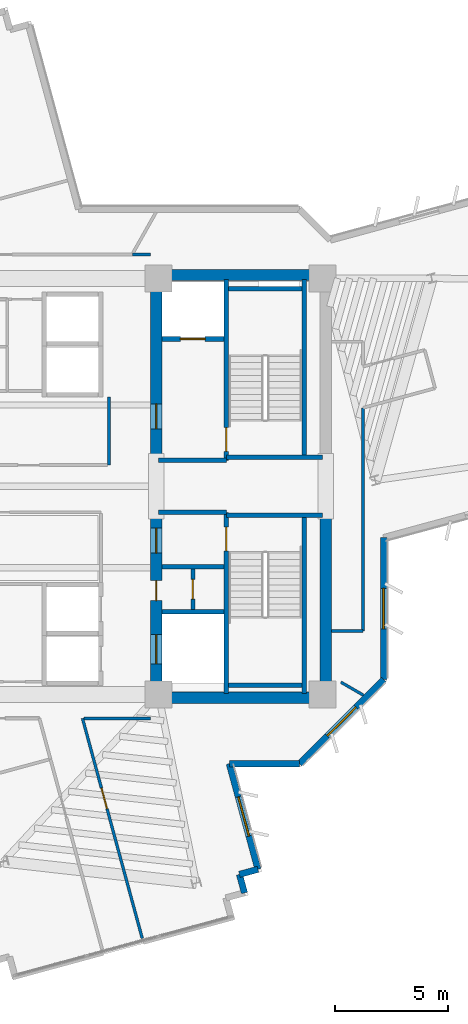
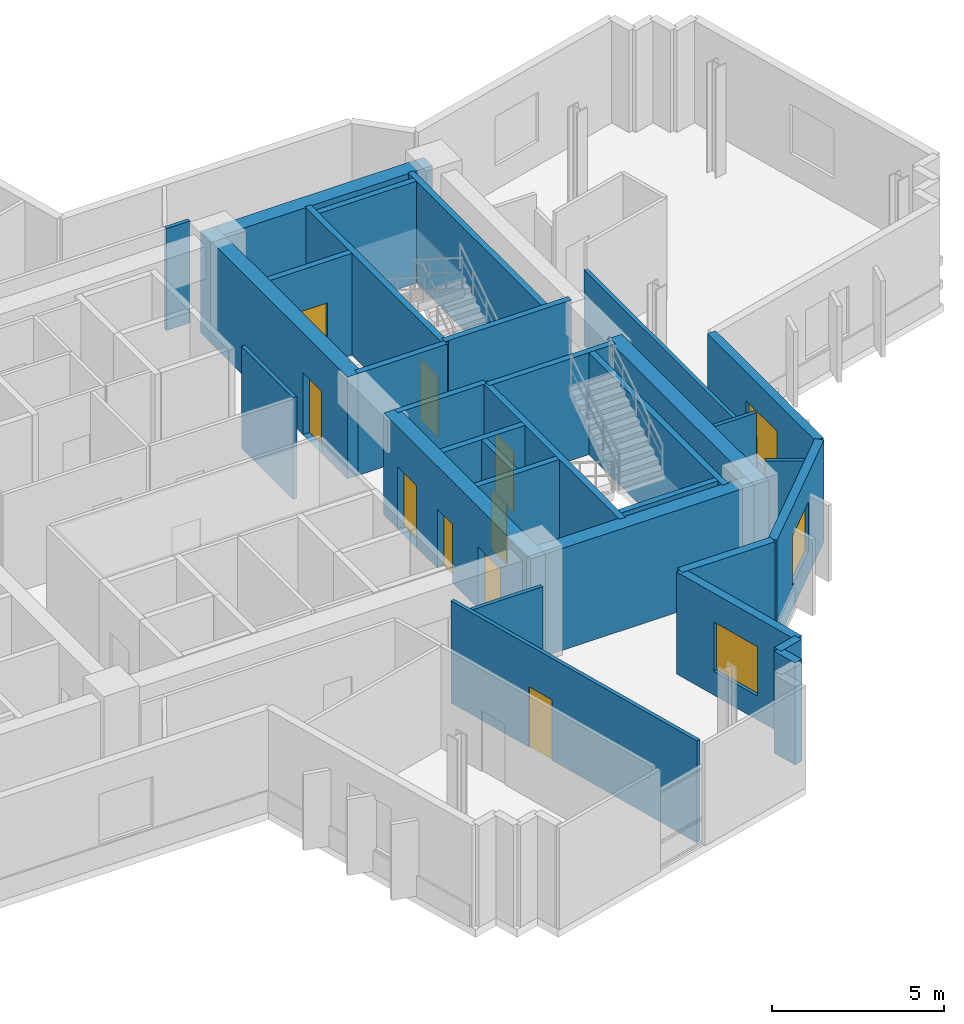
# One storey, part 10 of 15: 32 walls, 9 doors, 3 windows, 12 openings.
"""IFC4 building model written with IfcOpenShell, lengths in metres."""

from ifc_helpers import new_model, si_unit, direction, frame, frame_2d, origin, place, context, subcontext, project, spatial, rectangle, extrude, source, transform, mapped, material, layer, layer_set, type_object, element, fill, save


model = new_model("IFC4")

# Units and contexts
model_context = context("Model", 3, precision=1e-05, world=origin(), true_north=direction((0.0, 1.0)))
body_context = subcontext(model_context, "Body", "Model", "MODEL_VIEW")
ifc_project = project(units=[si_unit("LENGTHUNIT", "METRE"), si_unit("AREAUNIT", "SQUARE_METRE"), si_unit("VOLUMEUNIT", "CUBIC_METRE"), si_unit("PLANEANGLEUNIT", "RADIAN"), si_unit("MASSUNIT", "GRAM", prefix="KILO")], contexts=[model_context])

# Site, building, storey
site_placement = place(None, origin())
site = spatial("IfcSite", under=ifc_project, at=site_placement, CompositionType="ELEMENT")
building_placement = place(site_placement, origin())
building = spatial("IfcBuilding", under=site, at=building_placement, Name="Zahravan Cultural Tower", CompositionType="ELEMENT")
storey_placement = place(building_placement, frame((0.0, 0.0, 198.0)))
storey = spatial("IfcBuildingStorey", under=building, at=storey_placement, Name="L46", CompositionType="ELEMENT", Elevation=198.0)

# Wall, openings, doors
ifc_material_1 = material(Name="Concrete C60/75", Category="concrete")
ifc_layer_1 = layer(ifc_material_1, 0.5)
ifc_layer_set_1 = layer_set([ifc_layer_1], Name="Concrete C60/75")
wall_type_1 = type_object("IfcWallType", Name="CW-SHEAR-500-C60", PredefinedType="SHEAR", material=ifc_layer_set_1)
wall_1_placement = place(storey_placement, frame((43.0, 17.39990234375, 0.0), z_axis=(0.0, 0.0, 1.0), x_axis=(0.0, 1.0, 0.0)))
wall_1 = element("IfcWall", 1, at=wall_1_placement, inside=storey, type_object=wall_type_1, Name="L46 Core Shear Wall CW-E-WS-L46", PredefinedType="SHEAR", context=body_context, shape_type="SweptSolid", body=[
    extrude(rectangle(XDim=8.550048828125, YDim=0.5, at=frame_2d((4.27490234375, 0.0))), origin(), (0.0, 0.0, 1.0), 3.6201171875),
])
opening_1_placement = place(wall_1_placement, frame((6.64990234375, 0.0, 0.0)))
opening_1 = element("IfcOpeningElement", 2, at=opening_1_placement, cuts=wall_1, Name="Opening D-L46-08", PredefinedType="OPENING", context=body_context, shape_type="SweptSolid", body=[
    extrude(rectangle(XDim=1.10009765625, YDim=2.199951171875, at=frame_2d((0.550048828125, 1.10009765625))), frame((0.0, 0.260009765625, 0.0), z_axis=(0.0, -1.0, 0.0), x_axis=(1.0, 0.0, 0.0)), (0.0, 0.0, 1.0), 0.52001953125),
])
opening_2_placement = place(wall_1_placement, frame((1.75, 0.0, 0.0)))
opening_2 = element("IfcOpeningElement", 3, at=opening_2_placement, cuts=wall_1, Name="Opening LD-L46-03", PredefinedType="OPENING", context=body_context, shape_type="SweptSolid", body=[
    extrude(rectangle(XDim=1.300048828125, YDim=2.199951171875, at=frame_2d((0.64990234375, 1.10009765625))), frame((0.0, 0.260009765625, 0.0), z_axis=(0.0, -1.0, 0.0), x_axis=(1.0, 0.0, 0.0)), (0.0, 0.0, 1.0), 0.52001953125),
])
opening_3_placement = place(wall_1_placement, frame((4.550048828125, 0.0, 0.0)))
opening_3 = element("IfcOpeningElement", 4, at=opening_3_placement, cuts=wall_1, Name="Opening D-L46-11", PredefinedType="OPENING", context=body_context, shape_type="SweptSolid", body=[
    extrude(rectangle(XDim=0.8798828125, YDim=2.10009765625, at=frame_2d((0.43994140625, 1.050048828125))), frame((0.0, 0.260009765625, 0.0), z_axis=(0.0, -1.0, 0.0), x_axis=(1.0, 0.0, 0.0)), (0.0, 0.0, 1.0), 0.52001953125),
])
ifc_material_2 = material(Name="Steel ASTM A572 Grade 50", Category="steel")
door_type_1 = type_object("IfcDoorType", Name="DR-LOBBY-1100", OperationType="NOTDEFINED", PredefinedType="DOOR", material=ifc_material_2)
shared_shape_1 = source(origin(), body_context, "Body", "SweptSolid", [
    extrude(rectangle(XDim=1.10009765625, YDim=2.199951171875, at=frame_2d((0.550048828125, 1.10009765625))), frame((0.0, 0.02490234375, 0.0), z_axis=(0.0, -1.0, 0.0), x_axis=(1.0, 0.0, 0.0)), (0.0, 0.0, 1.0), 0.050048828125),
])
door_1_placement = place(opening_1_placement, origin())
door_1 = element("IfcDoor", 5, at=door_1_placement, inside=storey, type_object=door_type_1, Name="L46 Door D-L46-08", OperationType="SINGLE_SWING_RIGHT", OverallHeight=2.199951171875, OverallWidth=1.10009765625, PredefinedType="DOOR", context=body_context, shape_type="MappedRepresentation", body=[
    mapped(shared_shape_1, transform((0.0, 0.0, 0.0), x_axis=(1.0, 0.0, 0.0), y_axis=(0.0, 1.0, 0.0), z_axis=(0.0, 0.0, 1.0), scale=1.0)),
])
fill(opening_1, door_1)
door_type_2 = type_object("IfcDoorType", Name="DR-LIFT-1300", OperationType="DOUBLE_DOOR_SLIDING", PredefinedType="DOOR", material=ifc_material_2)
shared_shape_2 = source(origin(), body_context, "Body", "SweptSolid", [
    extrude(rectangle(XDim=1.300048828125, YDim=2.199951171875, at=frame_2d((0.64990234375, 1.10009765625))), frame((0.0, 0.02490234375, 0.0), z_axis=(0.0, -1.0, 0.0), x_axis=(1.0, 0.0, 0.0)), (0.0, 0.0, 1.0), 0.050048828125),
])
door_2_placement = place(opening_2_placement, origin())
door_2 = element("IfcDoor", 6, at=door_2_placement, inside=storey, type_object=door_type_2, Name="L46 Door LD-L46-03", OperationType="DOUBLE_DOOR_SLIDING", OverallHeight=2.199951171875, OverallWidth=1.300048828125, PredefinedType="DOOR", context=body_context, shape_type="MappedRepresentation", body=[
    mapped(shared_shape_2, transform((0.0, 0.0, 0.0), x_axis=(1.0, 0.0, 0.0), y_axis=(0.0, 1.0, 0.0), z_axis=(0.0, 0.0, 1.0), scale=1.0)),
])
fill(opening_2, door_2)
door_type_3 = type_object("IfcDoorType", Name="DR-SVC-880", OperationType="NOTDEFINED", PredefinedType="DOOR", material=ifc_material_2)
shared_shape_3 = source(origin(), body_context, "Body", "SweptSolid", [
    extrude(rectangle(XDim=0.8798828125, YDim=2.10009765625, at=frame_2d((0.43994140625, 1.050048828125))), frame((0.0, 0.02490234375, 0.0), z_axis=(0.0, -1.0, 0.0), x_axis=(1.0, 0.0, 0.0)), (0.0, 0.0, 1.0), 0.050048828125),
])
door_3_placement = place(opening_3_placement, origin())
door_3 = element("IfcDoor", 7, at=door_3_placement, inside=storey, type_object=door_type_3, Name="L46 Door D-L46-11", OperationType="SINGLE_SWING_LEFT", OverallHeight=2.10009765625, OverallWidth=0.8798828125, PredefinedType="DOOR", context=body_context, shape_type="MappedRepresentation", body=[
    mapped(shared_shape_3, transform((0.0, 0.0, 0.0), x_axis=(1.0, 0.0, 0.0), y_axis=(0.0, 1.0, 0.0), z_axis=(0.0, 0.0, 1.0), scale=1.0)),
])
fill(opening_3, door_3)

# Wall, opening, door
wall_2_placement = place(storey_placement, frame((43.0, 28.050048828125, 0.0), z_axis=(0.0, 0.0, 1.0), x_axis=(0.0, 1.0, 0.0)))
wall_2 = element("IfcWall", 8, at=wall_2_placement, inside=storey, type_object=wall_type_1, Name="L46 Core Shear Wall CW-E-WN-L46", PredefinedType="SHEAR", context=body_context, shape_type="SweptSolid", body=[
    extrude(rectangle(XDim=8.550048828125, YDim=0.5, at=frame_2d((4.27490234375, 0.0))), origin(), (0.0, 0.0, 1.0), 3.6201171875),
])
opening_4_placement = place(wall_2_placement, frame((1.5, 0.0, 0.0)))
opening_4 = element("IfcOpeningElement", 9, at=opening_4_placement, cuts=wall_2, Name="Opening D-L46-06", PredefinedType="OPENING", context=body_context, shape_type="SweptSolid", body=[
    extrude(rectangle(XDim=1.10009765625, YDim=2.199951171875, at=frame_2d((0.550048828125, 1.10009765625))), frame((0.0, 0.260009765625, 0.0), z_axis=(0.0, -1.0, 0.0), x_axis=(1.0, 0.0, 0.0)), (0.0, 0.0, 1.0), 0.52001953125),
])
door_4_placement = place(opening_4_placement, origin())
door_4 = element("IfcDoor", 10, at=door_4_placement, inside=storey, type_object=door_type_1, Name="L46 Door D-L46-06", OperationType="SINGLE_SWING_RIGHT", OverallHeight=2.199951171875, OverallWidth=1.10009765625, PredefinedType="DOOR", context=body_context, shape_type="MappedRepresentation", body=[
    mapped(shared_shape_1, transform((0.0, 0.0, 0.0), x_axis=(1.0, 0.0, 0.0), y_axis=(0.0, 1.0, 0.0), z_axis=(0.0, 0.0, 1.0), scale=1.0)),
])
fill(opening_4, door_4)

# Wall, opening, window
ifc_material_3 = material(Name="Precast concrete C40/50", Category="concrete")
ifc_layer_2 = layer(ifc_material_3, 0.280029296875)
ifc_layer_set_2 = layer_set([ifc_layer_2], Name="Precast concrete C40/50")
wall_type_2 = type_object("IfcWallType", Name="EW-TC-280", PredefinedType="SOLIDWALL", material=ifc_layer_set_2)
wall_3_placement = place(storey_placement, frame((53.06005859375, 24.733642578125, 0.0), z_axis=(0.0, 0.0, 1.0), x_axis=(0.0, -1.0, 0.0)))
wall_3 = element("IfcWall", 11, at=wall_3_placement, inside=storey, type_object=wall_type_2, Name="L46 Exterior Masonry Frame Wall 12", PredefinedType="SOLIDWALL", context=body_context, shape_type="SweptSolid", body=[
    extrude(rectangle(XDim=6.275634765625, YDim=0.280029296875, at=frame_2d((3.1376953125, 0.0))), origin(), (0.0, 0.0, 1.0), 3.6201171875),
])
opening_5_placement = place(wall_3_placement, frame((2.238037109375, 0.0, 0.85009765625)))
opening_5 = element("IfcOpeningElement", 12, at=opening_5_placement, cuts=wall_3, Name="Opening WN-02", PredefinedType="OPENING", context=body_context, shape_type="SweptSolid", body=[
    extrude(rectangle(XDim=1.800048828125, YDim=1.75, at=frame_2d((0.89990234375, 0.875))), frame((0.0, 0.14990234375, 0.0), z_axis=(0.0, -1.0, 0.0), x_axis=(1.0, 0.0, 0.0)), (0.0, 0.0, 1.0), 0.300048828125),
])
ifc_material_4 = material(Name="Low-E solar-control double glazing", Category="glass")
window_type = type_object("IfcWindowType", Name="WN-REC-1800X1750", PartitioningType="DOUBLE_PANEL_VERTICAL", PredefinedType="WINDOW", material=ifc_material_4)
shared_shape_4 = source(origin(), body_context, "Body", "SweptSolid", [
    extrude(rectangle(XDim=1.800048828125, YDim=1.75, at=frame_2d((0.89990234375, 0.875))), frame((0.0, 0.030029296875, 0.0), z_axis=(0.0, -1.0, 0.0), x_axis=(1.0, 0.0, 0.0)), (0.0, 0.0, 1.0), 0.06005859375),
])
window_1_placement = place(opening_5_placement, origin())
window_1 = element("IfcWindow", 13, at=window_1_placement, inside=storey, type_object=window_type, Name="L46 Recessed Solar Window 04", OverallHeight=1.75, OverallWidth=1.800048828125, PartitioningType="DOUBLE_PANEL_VERTICAL", PredefinedType="WINDOW", context=body_context, shape_type="MappedRepresentation", body=[
    mapped(shared_shape_4, transform((0.0, 0.0, 0.0), x_axis=(1.0, 0.0, 0.0), y_axis=(0.0, 1.0, 0.0), z_axis=(0.0, 0.0, 1.0), scale=1.0)),
])
fill(opening_5, window_1)

wall_4_placement = place(storey_placement, frame((53.06005859375, 18.4580078125, 0.0), z_axis=(0.0, 0.0, 1.0), x_axis=(-0.707106781187, -0.707106781187, 0.0)))
wall_4 = element("IfcWall", 14, at=wall_4_placement, inside=storey, type_object=wall_type_2, Name="L46 Exterior Masonry Frame Wall 13", PredefinedType="SOLIDWALL", context=body_context, shape_type="SweptSolid", body=[
    extrude(rectangle(XDim=5.258056640625, YDim=0.280029296875, at=frame_2d((2.62890625, 0.0))), origin(), (0.0, 0.0, 1.0), 3.6201171875),
])
opening_6_placement = place(wall_4_placement, frame((1.72900390625, 0.0, 0.85009765625)))
opening_6 = element("IfcOpeningElement", 15, at=opening_6_placement, cuts=wall_4, Name="Opening WN-02", PredefinedType="OPENING", context=body_context, shape_type="SweptSolid", body=[
    extrude(rectangle(XDim=1.800048828125, YDim=1.75, at=frame_2d((0.89990234375, 0.875))), frame((0.0, 0.14990234375, 0.0), z_axis=(0.0, -1.0, 0.0), x_axis=(1.0, 0.0, 0.0)), (0.0, 0.0, 1.0), 0.300048828125),
])
window_2_placement = place(opening_6_placement, origin())
window_2 = element("IfcWindow", 16, at=window_2_placement, inside=storey, type_object=window_type, Name="L46 Recessed Solar Window 05", OverallHeight=1.75, OverallWidth=1.800048828125, PartitioningType="DOUBLE_PANEL_VERTICAL", PredefinedType="WINDOW", context=body_context, shape_type="MappedRepresentation", body=[
    mapped(shared_shape_4, transform((0.0, 0.0, 0.0), x_axis=(1.0, 0.0, 0.0), y_axis=(0.0, 1.0, 0.0), z_axis=(0.0, 0.0, 1.0), scale=1.0)),
])
fill(opening_6, window_2)

wall_5_placement = place(storey_placement, frame((46.232421875, 14.739990234375, 0.0), z_axis=(0.0, 0.0, 1.0), x_axis=(0.262175182741, -0.965020296965, 0.0)))
wall_5 = element("IfcWall", 17, at=wall_5_placement, inside=storey, type_object=wall_type_2, Name="L46 Exterior Masonry Frame Wall 15", PredefinedType="SOLIDWALL", context=body_context, shape_type="SweptSolid", body=[
    extrude(rectangle(XDim=4.845947265625, YDim=0.280029296875, at=frame_2d((2.4228515625, 0.0))), origin(), (0.0, 0.0, 1.0), 3.6201171875),
])
opening_7_placement = place(wall_5_placement, frame((1.52294921875, 0.0, 0.85009765625)))
opening_7 = element("IfcOpeningElement", 18, at=opening_7_placement, cuts=wall_5, Name="Opening WN-02", PredefinedType="OPENING", context=body_context, shape_type="SweptSolid", body=[
    extrude(rectangle(XDim=1.800048828125, YDim=1.75, at=frame_2d((0.89990234375, 0.875))), frame((0.0, 0.14990234375, 0.0), z_axis=(0.0, -1.0, 0.0), x_axis=(1.0, 0.0, 0.0)), (0.0, 0.0, 1.0), 0.300048828125),
])
window_3_placement = place(opening_7_placement, origin())
window_3 = element("IfcWindow", 19, at=window_3_placement, inside=storey, type_object=window_type, Name="L46 Recessed Solar Window 06", OverallHeight=1.75, OverallWidth=1.800048828125, PartitioningType="DOUBLE_PANEL_VERTICAL", PredefinedType="WINDOW", context=body_context, shape_type="MappedRepresentation", body=[
    mapped(shared_shape_4, transform((0.0, 0.0, 0.0), x_axis=(1.0, 0.0, 0.0), y_axis=(0.0, 1.0, 0.0), z_axis=(0.0, 0.0, 1.0), scale=1.0)),
])
fill(opening_7, window_3)

# Wall, opening, door
ifc_material_5 = material(Name="Gypsum plasterboard partition")
ifc_layer_3 = layer(ifc_material_5, 0.179931640625)
ifc_layer_set_3 = layer_set([ifc_layer_3], Name="Gypsum plasterboard partition")
wall_type_3 = type_object("IfcWallType", Name="W-COMP-180", PredefinedType="PARTITIONING", material=ifc_layer_set_3)
wall_6_placement = place(storey_placement, frame((44.6201171875, 21.550048828125, 0.0), z_axis=(0.0, 0.0, 1.0), x_axis=(0.0, 1.0, 0.0)))
wall_6 = element("IfcWall", 20, at=wall_6_placement, inside=storey, type_object=wall_type_3, Name="L46 Interior Wall 027", PredefinedType="PARTITIONING", context=body_context, shape_type="SweptSolid", body=[
    extrude(rectangle(XDim=1.800048828125, YDim=0.179931640625, at=frame_2d((0.89990234375, 0.0))), origin(), (0.0, 0.0, 1.0), 3.6201171875),
])
opening_8_placement = place(wall_6_placement, frame((0.4599609375, 0.0, 0.0)))
opening_8 = element("IfcOpeningElement", 21, at=opening_8_placement, cuts=wall_6, Name="Opening D-L46-12", PredefinedType="OPENING", context=body_context, shape_type="SweptSolid", body=[
    extrude(rectangle(XDim=0.8798828125, YDim=2.10009765625, at=frame_2d((0.43994140625, 1.050048828125))), frame((0.0, 0.099853515625, 0.0), z_axis=(0.0, -1.0, 0.0), x_axis=(1.0, 0.0, 0.0)), (0.0, 0.0, 1.0), 0.199951171875),
])
door_5_placement = place(opening_8_placement, origin())
door_5 = element("IfcDoor", 22, at=door_5_placement, inside=storey, type_object=door_type_3, Name="L46 Door D-L46-12", OperationType="SINGLE_SWING_RIGHT", OverallHeight=2.10009765625, OverallWidth=0.8798828125, PredefinedType="DOOR", context=body_context, shape_type="MappedRepresentation", body=[
    mapped(shared_shape_3, transform((0.0, 0.0, 0.0), x_axis=(1.0, 0.0, 0.0), y_axis=(0.0, 1.0, 0.0), z_axis=(0.0, 0.0, 1.0), scale=1.0)),
])
fill(opening_8, door_5)

ifc_layer_4 = layer(ifc_material_5, 0.125)
ifc_layer_set_4 = layer_set([ifc_layer_4], Name="Gypsum plasterboard partition")
wall_type_4 = type_object("IfcWallType", Name="W-PART-125", PredefinedType="PARTITIONING", material=ifc_layer_set_4)
wall_7_placement = place(storey_placement, frame((42.384765625, 7.009765625, 0.0), z_axis=(0.0, 0.0, 1.0), x_axis=(-0.262203523108, 0.965012597052, 0.0)))
wall_7 = element("IfcWall", 23, at=wall_7_placement, inside=storey, type_object=wall_type_4, Name="L46 Interior Wall 087", PredefinedType="PARTITIONING", context=body_context, shape_type="SweptSolid", body=[
    extrude(rectangle(XDim=10.0830078125, YDim=0.125, at=frame_2d((5.04150390625, 0.0))), origin(), (0.0, 0.0, 1.0), 3.6201171875),
])
opening_9_placement = place(wall_7_placement, frame((5.9365234375, 0.0, 0.0)))
opening_9 = element("IfcOpeningElement", 24, at=opening_9_placement, cuts=wall_7, Name="Opening D-L46-27", PredefinedType="OPENING", context=body_context, shape_type="SweptSolid", body=[
    extrude(rectangle(XDim=0.949951171875, YDim=2.14990234375, at=frame_2d((0.47509765625, 1.074951171875))), frame((0.0, 0.072509765625, 0.0), z_axis=(0.0, -1.0, 0.0), x_axis=(1.0, 0.0, 0.0)), (0.0, 0.0, 1.0), 0.14501953125),
])
ifc_material_6 = material(Name="Anodised bronze-aluminium mullion", Category="aluminium")
door_type_4 = type_object("IfcDoorType", Name="DR-ROOM-950", OperationType="NOTDEFINED", PredefinedType="DOOR", material=ifc_material_6)
shared_shape_5 = source(origin(), body_context, "Body", "SweptSolid", [
    extrude(rectangle(XDim=0.949951171875, YDim=2.14990234375, at=frame_2d((0.47509765625, 1.074951171875))), frame((0.0, 0.02490234375, 0.0), z_axis=(0.0, -1.0, 0.0), x_axis=(1.0, 0.0, 0.0)), (0.0, 0.0, 1.0), 0.050048828125),
])
door_6_placement = place(opening_9_placement, origin())
door_6 = element("IfcDoor", 25, at=door_6_placement, inside=storey, type_object=door_type_4, Name="L46 Door D-L46-27", OperationType="SINGLE_SWING_LEFT", OverallHeight=2.14990234375, OverallWidth=0.949951171875, PredefinedType="DOOR", context=body_context, shape_type="MappedRepresentation", body=[
    mapped(shared_shape_5, transform((0.0, 0.0, 0.0), x_axis=(1.0, 0.0, 0.0), y_axis=(0.0, 1.0, 0.0), z_axis=(0.0, 0.0, 1.0), scale=1.0)),
])
fill(opening_9, door_6)

ifc_material_7 = material(Name="Concrete C45/55", Category="concrete")
ifc_layer_5 = layer(ifc_material_7, 0.199951171875)
ifc_layer_set_5 = layer_set([ifc_layer_5], Name="Concrete C45/55")
wall_type_5 = type_object("IfcWallType", Name="W-SHAFT-200", PredefinedType="SOLIDWALL", material=ifc_layer_set_5)
wall_8_placement = place(storey_placement, frame((46.10009765625, 17.85009765625, 0.0), z_axis=(0.0, 0.0, 1.0), x_axis=(0.0, 1.0, 0.0)))
wall_8 = element("IfcWall", 26, at=wall_8_placement, inside=storey, type_object=wall_type_5, Name="L46 Interior Wall 007", PredefinedType="SOLIDWALL", context=body_context, shape_type="SweptSolid", body=[
    extrude(rectangle(XDim=8.0, YDim=0.199951171875, at=frame_2d((4.0, 0.0))), origin(), (0.0, 0.0, 1.0), 3.6201171875),
])
opening_10_placement = place(wall_8_placement, frame((6.300048828125, 0.0, 0.0)))
opening_10 = element("IfcOpeningElement", 27, at=opening_10_placement, cuts=wall_8, Name="Opening D-L46-03", PredefinedType="OPENING", context=body_context, shape_type="SweptSolid", body=[
    extrude(rectangle(XDim=1.050048828125, YDim=2.14990234375, at=frame_2d((0.52490234375, 1.074951171875))), frame((0.0, 0.10986328125, 0.0), z_axis=(0.0, -1.0, 0.0), x_axis=(1.0, 0.0, 0.0)), (0.0, 0.0, 1.0), 0.219970703125),
])
door_type_5 = type_object("IfcDoorType", Name="DR-STAIR-1050", OperationType="NOTDEFINED", PredefinedType="DOOR", material=ifc_material_2)
shared_shape_6 = source(origin(), body_context, "Body", "SweptSolid", [
    extrude(rectangle(XDim=1.050048828125, YDim=2.14990234375, at=frame_2d((0.52490234375, 1.074951171875))), frame((0.0, 0.02490234375, 0.0), z_axis=(0.0, -1.0, 0.0), x_axis=(1.0, 0.0, 0.0)), (0.0, 0.0, 1.0), 0.050048828125),
])
door_7_placement = place(opening_10_placement, origin())
door_7 = element("IfcDoor", 28, at=door_7_placement, inside=storey, type_object=door_type_5, Name="L46 Door D-L46-03", OperationType="SINGLE_SWING_LEFT", OverallHeight=2.14990234375, OverallWidth=1.050048828125, PredefinedType="DOOR", context=body_context, shape_type="MappedRepresentation", body=[
    mapped(shared_shape_6, transform((0.0, 0.0, 0.0), x_axis=(1.0, 0.0, 0.0), y_axis=(0.0, 1.0, 0.0), z_axis=(0.0, 0.0, 1.0), scale=1.0)),
])
fill(opening_10, door_7)

wall_9_placement = place(storey_placement, frame((46.10009765625, 28.14990234375, 0.0), z_axis=(0.0, 0.0, 1.0), x_axis=(0.0, 1.0, 0.0)))
wall_9 = element("IfcWall", 29, at=wall_9_placement, inside=storey, type_object=wall_type_5, Name="L46 Interior Wall 008", PredefinedType="SOLIDWALL", context=body_context, shape_type="SweptSolid", body=[
    extrude(rectangle(XDim=8.0, YDim=0.199951171875, at=frame_2d((4.0, 0.0))), origin(), (0.0, 0.0, 1.0), 3.6201171875),
])
opening_11_placement = place(wall_9_placement, frame((0.39990234375, 0.0, 0.0)))
opening_11 = element("IfcOpeningElement", 30, at=opening_11_placement, cuts=wall_9, Name="Opening D-L46-02", PredefinedType="OPENING", context=body_context, shape_type="SweptSolid", body=[
    extrude(rectangle(XDim=1.050048828125, YDim=2.14990234375, at=frame_2d((0.52490234375, 1.074951171875))), frame((0.0, 0.10986328125, 0.0), z_axis=(0.0, -1.0, 0.0), x_axis=(1.0, 0.0, 0.0)), (0.0, 0.0, 1.0), 0.219970703125),
])
door_8_placement = place(opening_11_placement, origin())
door_8 = element("IfcDoor", 31, at=door_8_placement, inside=storey, type_object=door_type_5, Name="L46 Door D-L46-02", OperationType="SINGLE_SWING_RIGHT", OverallHeight=2.14990234375, OverallWidth=1.050048828125, PredefinedType="DOOR", context=body_context, shape_type="MappedRepresentation", body=[
    mapped(shared_shape_6, transform((0.0, 0.0, 0.0), x_axis=(1.0, 0.0, 0.0), y_axis=(0.0, 1.0, 0.0), z_axis=(0.0, 0.0, 1.0), scale=1.0)),
])
fill(opening_11, door_8)

wall_10_placement = place(storey_placement, frame((43.25, 33.52001953125, 0.0), z_axis=(0.0, 0.0, 1.0), x_axis=(1.0, 0.0, 0.0)))
wall_10 = element("IfcWall", 32, at=wall_10_placement, inside=storey, type_object=wall_type_5, Name="L46 Interior Wall 022", PredefinedType="SOLIDWALL", context=body_context, shape_type="SweptSolid", body=[
    extrude(rectangle(XDim=2.75, YDim=0.199951171875, at=frame_2d((1.375, 0.0))), origin(), (0.0, 0.0, 1.0), 3.6201171875),
])
opening_12_placement = place(wall_10_placement, frame((0.820068359375, 0.0, 0.0)))
opening_12 = element("IfcOpeningElement", 33, at=opening_12_placement, cuts=wall_10, Name="Opening LD-L46-02", PredefinedType="OPENING", context=body_context, shape_type="SweptSolid", body=[
    extrude(rectangle(XDim=1.10009765625, YDim=2.14990234375, at=frame_2d((0.550048828125, 1.074951171875))), frame((0.0, 0.10986328125, 0.0), z_axis=(0.0, -1.0, 0.0), x_axis=(1.0, 0.0, 0.0)), (0.0, 0.0, 1.0), 0.219970703125),
])
door_type_6 = type_object("IfcDoorType", Name="DR-LIFT-1100", OperationType="DOUBLE_DOOR_SLIDING", PredefinedType="DOOR", material=ifc_material_2)
shared_shape_7 = source(origin(), body_context, "Body", "SweptSolid", [
    extrude(rectangle(XDim=1.10009765625, YDim=2.14990234375, at=frame_2d((0.550048828125, 1.074951171875))), frame((0.0, 0.02490234375, 0.0), z_axis=(0.0, -1.0, 0.0), x_axis=(1.0, 0.0, 0.0)), (0.0, 0.0, 1.0), 0.050048828125),
])
door_9_placement = place(opening_12_placement, origin())
door_9 = element("IfcDoor", 34, at=door_9_placement, inside=storey, type_object=door_type_6, Name="L46 Door LD-L46-02", OperationType="DOUBLE_DOOR_SLIDING", OverallHeight=2.14990234375, OverallWidth=1.10009765625, PredefinedType="DOOR", context=body_context, shape_type="MappedRepresentation", body=[
    mapped(shared_shape_7, transform((0.0, 0.0, 0.0), x_axis=(1.0, 0.0, 0.0), y_axis=(0.0, 1.0, 0.0), z_axis=(0.0, 0.0, 1.0), scale=1.0)),
])
fill(opening_12, door_9)

# Walls
shared_shape_8 = source(origin(), body_context, "Body", "SweptSolid", [
    extrude(rectangle(XDim=8.550048828125, YDim=0.5, at=frame_2d((4.27490234375, 0.0))), origin(), (0.0, 0.0, 1.0), 3.6201171875),
])
wall_11_placement = place(storey_placement, frame((50.5, 17.39990234375, 0.0), z_axis=(0.0, 0.0, 1.0), x_axis=(0.0, 1.0, 0.0)))
element("IfcWall", 35, at=wall_11_placement, inside=storey, type_object=wall_type_1, Name="L46 Core Shear Wall CW-E-ES-L46", PredefinedType="SHEAR", context=body_context, shape_type="MappedRepresentation", body=[
    mapped(shared_shape_8, transform((0.0, 0.0, 0.0), x_axis=(1.0, 0.0, 0.0), y_axis=(0.0, 1.0, 0.0), z_axis=(0.0, 0.0, 1.0), scale=1.0)),
])
shared_shape_9 = source(origin(), body_context, "Body", "SweptSolid", [
    extrude(rectangle(XDim=7.0, YDim=0.5, at=frame_2d((3.5, 0.0))), origin(), (0.0, 0.0, 1.0), 3.6201171875),
])
for number, where, z_axis, x_axis, name in (
    (36, (43.25, 17.64990234375, 0.0), (0.0, 0.0, 1.0), (1.0, 0.0, 0.0), "L46 Core Shear Wall CW-E-S-L46"),
    (37, (43.25, 36.35009765625, 0.0), (0.0, 0.0, 1.0), (1.0, 0.0, 0.0), "L46 Core Shear Wall CW-E-N-L46"),
):
    element("IfcWall", number, at=place(storey_placement, frame(where, z_axis=z_axis, x_axis=x_axis)), inside=storey, type_object=wall_type_1, Name=name, PredefinedType="SHEAR", context=body_context, shape_type="MappedRepresentation", body=[
        mapped(shared_shape_9, transform((0.0, 0.0, 0.0), x_axis=(1.0, 0.0, 0.0), y_axis=(0.0, 1.0, 0.0), z_axis=(0.0, 0.0, 1.0), scale=1.0)),
    ])
shared_shape_10 = source(origin(), body_context, "Body", "SweptSolid", [
    extrude(rectangle(XDim=0.85009765625, YDim=0.280029296875, at=frame_2d((0.425048828125, 0.0))), origin(), (0.0, 0.0, 1.0), 3.6201171875),
])
for number, where, z_axis, x_axis, name in (
    (38, (47.5029296875, 10.0634765625, 0.0), (0.0, 0.0, 1.0), (-0.965008631059, -0.262218119094, 0.0), "L46 Exterior Masonry Frame Wall 16"),
    (39, (46.6826171875, 9.840576171875, 0.0), (0.0, 0.0, 1.0), (0.262218119094, -0.965008631059, 0.0), "L46 Exterior Masonry Frame Wall 17"),
):
    element("IfcWall", number, at=place(storey_placement, frame(where, z_axis=z_axis, x_axis=x_axis)), inside=storey, type_object=wall_type_2, Name=name, PredefinedType="SOLIDWALL", context=body_context, shape_type="MappedRepresentation", body=[
        mapped(shared_shape_10, transform((0.0, 0.0, 0.0), x_axis=(1.0, 0.0, 0.0), y_axis=(0.0, 1.0, 0.0), z_axis=(0.0, 0.0, 1.0), scale=1.0)),
    ])
shared_shape_11 = source(origin(), body_context, "Body", "SweptSolid", [
    extrude(rectangle(XDim=3.109619140625, YDim=0.280029296875, at=frame_2d((1.5546875, 0.0))), origin(), (0.0, 0.0, 1.0), 3.6201171875),
])
wall_12_placement = place(storey_placement, frame((49.342041015625, 14.739990234375, 0.0), z_axis=(0.0, 0.0, 1.0), x_axis=(-1.0, 0.0, 0.0)))
element("IfcWall", 40, at=wall_12_placement, inside=storey, type_object=wall_type_2, Name="L46 Exterior Masonry Frame Wall 14", PredefinedType="SOLIDWALL", context=body_context, shape_type="MappedRepresentation", body=[
    mapped(shared_shape_11, transform((0.0, 0.0, 0.0), x_axis=(1.0, 0.0, 0.0), y_axis=(0.0, 1.0, 0.0), z_axis=(0.0, 0.0, 1.0), scale=1.0)),
])
shared_shape_12 = source(origin(), body_context, "Body", "SweptSolid", [
    extrude(rectangle(XDim=7.869873046875, YDim=0.199951171875, at=frame_2d((3.93505859375, 0.0))), origin(), (0.0, 0.0, 1.0), 3.6201171875),
])
for number, where, z_axis, x_axis, name in (
    (41, (49.550048828125, 17.85009765625, 0.0), (0.0, 0.0, 1.0), (0.0, 1.0, 0.0), "L46 Interior Wall 003"),
    (42, (49.550048828125, 28.280029296875, 0.0), (0.0, 0.0, 1.0), (0.0, 1.0, 0.0), "L46 Interior Wall 004"),
):
    element("IfcWall", number, at=place(storey_placement, frame(where, z_axis=z_axis, x_axis=x_axis)), inside=storey, type_object=wall_type_5, Name=name, PredefinedType="SOLIDWALL", context=body_context, shape_type="MappedRepresentation", body=[
        mapped(shared_shape_12, transform((0.0, 0.0, 0.0), x_axis=(1.0, 0.0, 0.0), y_axis=(0.0, 1.0, 0.0), z_axis=(0.0, 0.0, 1.0), scale=1.0)),
    ])
shared_shape_13 = source(origin(), body_context, "Body", "SweptSolid", [
    extrude(rectangle(XDim=4.25, YDim=0.199951171875, at=frame_2d((2.125, 0.0))), origin(), (0.0, 0.0, 1.0), 3.6201171875),
])
for number, where, z_axis, x_axis, name in (
    (43, (46.10009765625, 25.715087890625, 0.0), (0.0, 0.0, 1.0), (1.0, 0.0, 0.0), "L46 Interior Wall 014"),
    (44, (46.10009765625, 28.284912109375, 0.0), (0.0, 0.0, 1.0), (1.0, 0.0, 0.0), "L46 Interior Wall 016"),
):
    element("IfcWall", number, at=place(storey_placement, frame(where, z_axis=z_axis, x_axis=x_axis)), inside=storey, type_object=wall_type_5, Name=name, PredefinedType="SOLIDWALL", context=body_context, shape_type="MappedRepresentation", body=[
        mapped(shared_shape_13, transform((0.0, 0.0, 0.0), x_axis=(1.0, 0.0, 0.0), y_axis=(0.0, 1.0, 0.0), z_axis=(0.0, 0.0, 1.0), scale=1.0)),
    ])
shared_shape_14 = source(origin(), body_context, "Body", "SweptSolid", [
    extrude(rectangle(XDim=3.0, YDim=0.199951171875, at=frame_2d((1.5, 0.0))), origin(), (0.0, 0.0, 1.0), 3.6201171875),
])
for number, where, z_axis, x_axis, name in (
    (45, (43.10009765625, 25.85009765625, 0.0), (0.0, 0.0, 1.0), (1.0, 0.0, 0.0), "L46 Interior Wall 013"),
    (46, (43.10009765625, 28.14990234375, 0.0), (0.0, 0.0, 1.0), (1.0, 0.0, 0.0), "L46 Interior Wall 015"),
):
    element("IfcWall", number, at=place(storey_placement, frame(where, z_axis=z_axis, x_axis=x_axis)), inside=storey, type_object=wall_type_5, Name=name, PredefinedType="SOLIDWALL", context=body_context, shape_type="MappedRepresentation", body=[
        mapped(shared_shape_14, transform((0.0, 0.0, 0.0), x_axis=(1.0, 0.0, 0.0), y_axis=(0.0, 1.0, 0.0), z_axis=(0.0, 0.0, 1.0), scale=1.0)),
    ])
shared_shape_15 = source(origin(), body_context, "Body", "SweptSolid", [
    extrude(rectangle(XDim=3.25, YDim=0.199951171875, at=frame_2d((1.625, 0.0))), origin(), (0.0, 0.0, 1.0), 3.6201171875),
])
for number, where, z_axis, x_axis, name in (
    (47, (46.199951171875, 35.75, 0.0), (0.0, 0.0, 1.0), (1.0, 0.0, 0.0), "L46 Interior Wall 018"),
    (48, (46.199951171875, 18.199951171875, 0.0), (0.0, 0.0, 1.0), (1.0, 0.0, 0.0), "L46 Interior Wall 020"),
):
    element("IfcWall", number, at=place(storey_placement, frame(where, z_axis=z_axis, x_axis=x_axis)), inside=storey, type_object=wall_type_5, Name=name, PredefinedType="SOLIDWALL", context=body_context, shape_type="MappedRepresentation", body=[
        mapped(shared_shape_15, transform((0.0, 0.0, 0.0), x_axis=(1.0, 0.0, 0.0), y_axis=(0.0, 1.0, 0.0), z_axis=(0.0, 0.0, 1.0), scale=1.0)),
    ])
shared_shape_16 = source(origin(), body_context, "Body", "SweptSolid", [
    extrude(rectangle(XDim=2.75, YDim=0.199951171875, at=frame_2d((1.375, 0.0))), origin(), (0.0, 0.0, 1.0), 3.6201171875),
])
for number, where, z_axis, x_axis, name in (
    (49, (43.25, 23.449951171875, 0.0), (0.0, 0.0, 1.0), (1.0, 0.0, 0.0), "L46 Interior Wall 024"),
    (50, (43.25, 21.449951171875, 0.0), (0.0, 0.0, 1.0), (1.0, 0.0, 0.0), "L46 Interior Wall 025"),
):
    element("IfcWall", number, at=place(storey_placement, frame(where, z_axis=z_axis, x_axis=x_axis)), inside=storey, type_object=wall_type_5, Name=name, PredefinedType="SOLIDWALL", context=body_context, shape_type="MappedRepresentation", body=[
        mapped(shared_shape_16, transform((0.0, 0.0, 0.0), x_axis=(1.0, 0.0, 0.0), y_axis=(0.0, 1.0, 0.0), z_axis=(0.0, 0.0, 1.0), scale=1.0)),
    ])
shared_shape_17 = source(origin(), body_context, "Body", "SweptSolid", [
    extrude(rectangle(XDim=3.010009765625, YDim=0.125, at=frame_2d((1.5048828125, 0.0))), origin(), (0.0, 0.0, 1.0), 3.6201171875),
])
wall_13_placement = place(storey_placement, frame((40.919921875, 30.949951171875, 0.0), z_axis=(0.0, 0.0, 1.0), x_axis=(0.0, -1.0, 0.0)))
element("IfcWall", 51, at=wall_13_placement, inside=storey, type_object=wall_type_4, Name="L46 Interior Wall 071", PredefinedType="PARTITIONING", context=body_context, shape_type="MappedRepresentation", body=[
    mapped(shared_shape_17, transform((0.0, 0.0, 0.0), x_axis=(1.0, 0.0, 0.0), y_axis=(0.0, 1.0, 0.0), z_axis=(0.0, 0.0, 1.0), scale=1.0)),
])
shared_shape_18 = source(origin(), body_context, "Body", "SweptSolid", [
    extrude(rectangle(XDim=1.38916015625, YDim=0.125, at=frame_2d((0.694580078125, 0.0))), origin(), (0.0, 0.0, 1.0), 3.6201171875),
])
wall_14_placement = place(storey_placement, frame((50.7548828125, 20.60009765625, 0.0), z_axis=(0.0, 0.0, 1.0), x_axis=(1.0, 0.0, 0.0)))
element("IfcWall", 52, at=wall_14_placement, inside=storey, type_object=wall_type_4, Name="L46 Interior Wall 104", PredefinedType="PARTITIONING", context=body_context, shape_type="MappedRepresentation", body=[
    mapped(shared_shape_18, transform((0.0, 0.0, 0.0), x_axis=(1.0, 0.0, 0.0), y_axis=(0.0, 1.0, 0.0), z_axis=(0.0, 0.0, 1.0), scale=1.0)),
])
shared_shape_19 = source(origin(), body_context, "Body", "SweptSolid", [
    extrude(rectangle(XDim=2.935791015625, YDim=0.125, at=frame_2d((1.4677734375, 0.0))), origin(), (0.0, 0.0, 1.0), 3.0791015625),
])
wall_15_placement = place(storey_placement, frame((39.810791015625, 16.739990234375, 0.0), z_axis=(0.0, 0.0, 1.0), x_axis=(0.999999913555, 0.00041580038, 0.0)))
element("IfcWall", 53, at=wall_15_placement, inside=storey, type_object=wall_type_4, Name="L46 Interior Wall 088", PredefinedType="PARTITIONING", context=body_context, shape_type="MappedRepresentation", body=[
    mapped(shared_shape_19, transform((0.0, 0.0, 0.0), x_axis=(1.0, 0.0, 0.0), y_axis=(0.0, 1.0, 0.0), z_axis=(0.0, 0.0, 1.0), scale=1.0)),
])
shared_shape_20 = source(origin(), body_context, "Body", "SweptSolid", [
    extrude(rectangle(XDim=1.1484375, YDim=0.125, at=frame_2d((0.57421875, 0.0))), origin(), (0.0, 0.0, 1.0), 3.6201171875),
])
wall_16_placement = place(storey_placement, frame((51.169921875, 18.34228515625, 0.0), z_axis=(0.0, 0.0, 1.0), x_axis=(0.865416582459, -0.501053029933, 0.0)))
element("IfcWall", 54, at=wall_16_placement, inside=storey, type_object=wall_type_4, Name="L46 Interior Wall 089", PredefinedType="PARTITIONING", context=body_context, shape_type="MappedRepresentation", body=[
    mapped(shared_shape_20, transform((0.0, 0.0, 0.0), x_axis=(1.0, 0.0, 0.0), y_axis=(0.0, 1.0, 0.0), z_axis=(0.0, 0.0, 1.0), scale=1.0)),
])
shared_shape_21 = source(origin(), body_context, "Body", "SweptSolid", [
    extrude(rectangle(XDim=0.792236328125, YDim=0.125, at=frame_2d((0.39599609375, 0.0))), origin(), (0.0, 0.0, 1.0), 3.6201171875),
])
wall_17_placement = place(storey_placement, frame((42.74755859375, 37.25927734375, 0.0), z_axis=(0.0, 0.0, 1.0), x_axis=(-0.999999572651, 0.000924498835, 0.0)))
element("IfcWall", 55, at=wall_17_placement, inside=storey, type_object=wall_type_4, Name="L46 Interior Wall 103", PredefinedType="PARTITIONING", context=body_context, shape_type="MappedRepresentation", body=[
    mapped(shared_shape_21, transform((0.0, 0.0, 0.0), x_axis=(1.0, 0.0, 0.0), y_axis=(0.0, 1.0, 0.0), z_axis=(0.0, 0.0, 1.0), scale=1.0)),
])
shared_shape_22 = source(origin(), body_context, "Body", "SweptSolid", [
    extrude(rectangle(XDim=9.868408203125, YDim=0.125, at=frame_2d((4.93408203125, 0.0))), origin(), (0.0, 0.0, 1.0), 2.693115234375),
])
wall_18_placement = place(storey_placement, frame((52.149658203125, 20.607666015625, 0.0), z_axis=(0.0, 0.0, 1.0), x_axis=(2.4739616e-05, 0.999999999694, 0.0)))
element("IfcWall", 56, at=wall_18_placement, inside=storey, type_object=wall_type_4, Name="L46 Interior Wall 105", PredefinedType="PARTITIONING", context=body_context, shape_type="MappedRepresentation", body=[
    mapped(shared_shape_22, transform((0.0, 0.0, 0.0), x_axis=(1.0, 0.0, 0.0), y_axis=(0.0, 1.0, 0.0), z_axis=(0.0, 0.0, 1.0), scale=1.0)),
])

save(model, "model.ifc")
